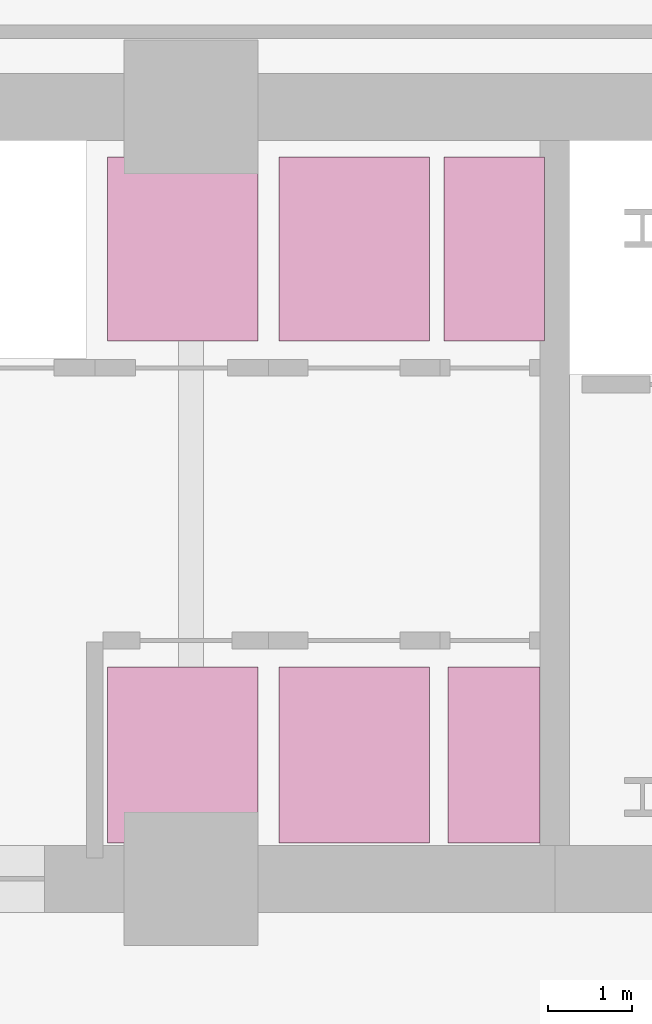
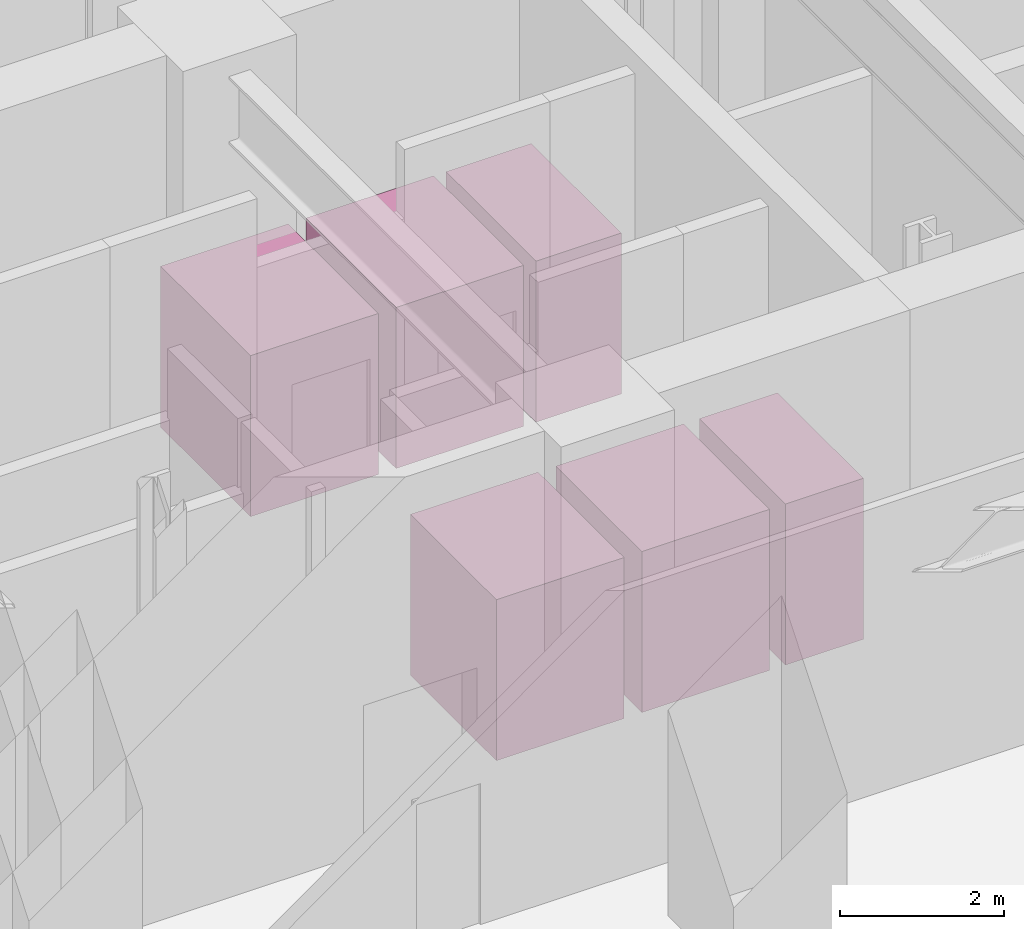
# One storey, part 21 of 21: 6 transport elements.
"""IFC4 building model written with IfcOpenShell, lengths in metres."""

from ifc_helpers import new_model, si_unit, direction, frame, origin, origin_2d, place, context, subcontext, project, spatial, rectangle, extrude, material, type_object, element, save


model = new_model("IFC4")

# Units and contexts
model_context = context("Model", 3, precision=1e-05, world=origin(), true_north=direction((0.0, 1.0)))
body_context = subcontext(model_context, "Body", "Model", "MODEL_VIEW")
ifc_project = project(units=[si_unit("LENGTHUNIT", "METRE"), si_unit("AREAUNIT", "SQUARE_METRE"), si_unit("VOLUMEUNIT", "CUBIC_METRE"), si_unit("PLANEANGLEUNIT", "RADIAN"), si_unit("MASSUNIT", "GRAM", prefix="KILO")], contexts=[model_context])

# Site, building, storey
site_placement = place(None, origin())
site = spatial("IfcSite", under=ifc_project, at=site_placement, CompositionType="ELEMENT")
building_placement = place(site_placement, origin())
building = spatial("IfcBuilding", under=site, at=building_placement, Name="Zarnavel Station Tower", CompositionType="ELEMENT")
storey_placement = place(building_placement, origin())
storey = spatial("IfcBuildingStorey", under=building, at=storey_placement, Name="L01", CompositionType="ELEMENT", Elevation=0.0)

# Transport elements
ifc_material_1 = material(Name="Brushed Bronze High-Rise Service Lift Car", Category="steel")
transport_element_type_1 = type_object("IfcTransportElementType", Name="LFT_PAX_1100x2100", PredefinedType="ELEVATOR", material=ifc_material_1)
transport_element_1_placement = place(storey_placement, frame((32.425048828125, 29.300048828125, 0.050048828125), z_axis=(0.0, 0.0, 1.0), x_axis=(1.0, 0.0, 0.0)))
element("IfcTransportElement", 1, at=transport_element_1_placement, inside=storey, type_object=transport_element_type_1, Name="Passenger Lift PL-H3", PredefinedType="ELEVATOR", context=body_context, shape_type="SweptSolid", body=[
    extrude(rectangle(XDim=1.10009765625, YDim=2.10009765625, at=origin_2d()), origin(), (0.0, 0.0, 1.0), 2.39990234375),
])
ifc_material_2 = material(Name="Brushed Bronze Service Passenger Lift Car", Category="steel")
transport_element_type_2 = type_object("IfcTransportElementType", Name="LFT_PAX_1200x2200", PredefinedType="ELEVATOR", material=ifc_material_2)
transport_element_2_placement = place(storey_placement, frame((32.425048828125, 35.35009765625, 0.050048828125), z_axis=(0.0, 0.0, 1.0), x_axis=(1.0, 0.0, 0.0)))
element("IfcTransportElement", 2, at=transport_element_2_placement, inside=storey, type_object=transport_element_type_2, Name="Passenger Lift PL-M3", PredefinedType="ELEVATOR", context=body_context, shape_type="SweptSolid", body=[
    extrude(rectangle(XDim=1.199951171875, YDim=2.199951171875, at=origin_2d()), origin(), (0.0, 0.0, 1.0), 2.39990234375),
])
ifc_material_3 = material(Name="Brushed Bronze Passenger Lift Car", Category="steel")
transport_element_type_3 = type_object("IfcTransportElementType", Name="LFT_PAX_1800x2100", PredefinedType="ELEVATOR", material=ifc_material_3)
for number, where, z_axis, x_axis, name in (
    (3, (28.699951171875, 29.300048828125, 0.050048828125), (0.0, 0.0, 1.0), (1.0, 0.0, 0.0), "Passenger Lift PL-H1"),
    (4, (30.75, 29.300048828125, 0.050048828125), (0.0, 0.0, 1.0), (1.0, 0.0, 0.0), "Passenger Lift PL-H2"),
):
    element("IfcTransportElement", number, at=place(storey_placement, frame(where, z_axis=z_axis, x_axis=x_axis)), inside=storey, type_object=transport_element_type_3, Name=name, PredefinedType="ELEVATOR", context=body_context, shape_type="SweptSolid", body=[
        extrude(rectangle(XDim=1.800048828125, YDim=2.10009765625, at=origin_2d()), origin(), (0.0, 0.0, 1.0), 2.39990234375),
    ])
ifc_material_4 = material(Name="Brushed Bronze Mid-Rise Lift Car", Category="steel")
transport_element_type_4 = type_object("IfcTransportElementType", Name="LFT_PAX_1800x2200", PredefinedType="ELEVATOR", material=ifc_material_4)
for number, where, z_axis, x_axis, name in (
    (5, (28.699951171875, 35.35009765625, 0.050048828125), (0.0, 0.0, 1.0), (1.0, 0.0, 0.0), "Passenger Lift PL-M1"),
    (6, (30.75, 35.35009765625, 0.050048828125), (0.0, 0.0, 1.0), (1.0, 0.0, 0.0), "Passenger Lift PL-M2"),
):
    element("IfcTransportElement", number, at=place(storey_placement, frame(where, z_axis=z_axis, x_axis=x_axis)), inside=storey, type_object=transport_element_type_4, Name=name, PredefinedType="ELEVATOR", context=body_context, shape_type="SweptSolid", body=[
        extrude(rectangle(XDim=1.800048828125, YDim=2.199951171875, at=origin_2d()), origin(), (0.0, 0.0, 1.0), 2.39990234375),
    ])

save(model, "model.ifc")
